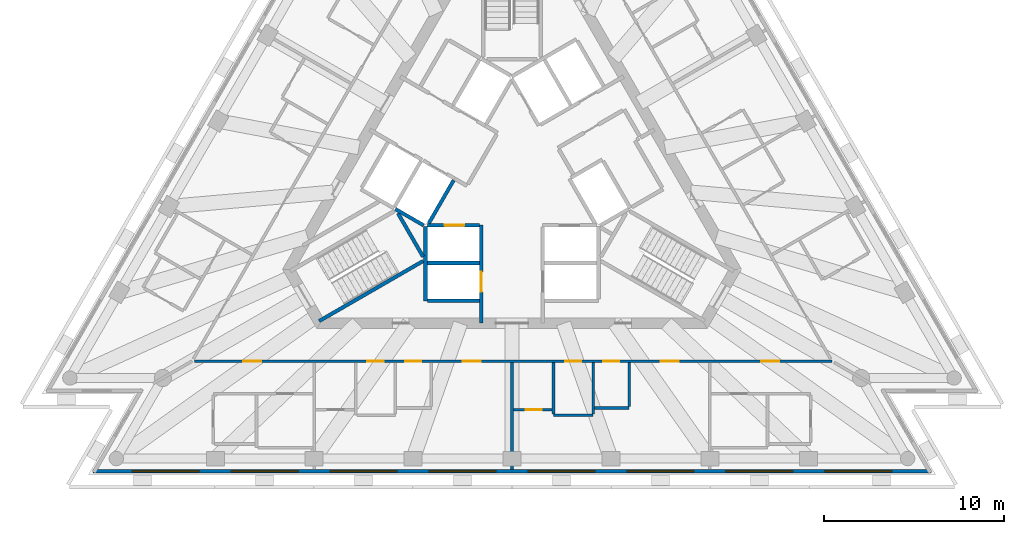
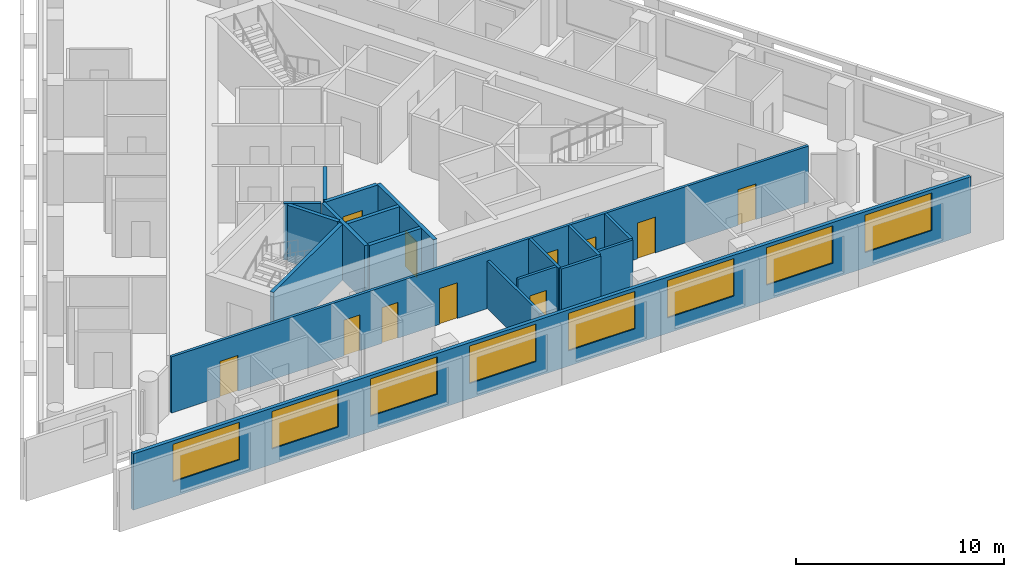
# One storey, part 3 of 9: 18 walls, 11 doors, 8 windows, 19 openings.
"""IFC4 building model written with IfcOpenShell, lengths in metres."""

from ifc_helpers import new_model, si_unit, direction, frame, frame_2d, origin, place, context, subcontext, project, spatial, rectangle, extrude, material, layer, layer_set, layer_usage, type_object, element, fill, save


model = new_model("IFC4")

# Units and contexts
model_context = context("Model", 3, precision=1e-05, world=origin(), true_north=direction((0.0, 1.0)))
body_context = subcontext(model_context, "Body", "Model", "MODEL_VIEW")
ifc_project = project(units=[si_unit("LENGTHUNIT", "METRE"), si_unit("AREAUNIT", "SQUARE_METRE"), si_unit("VOLUMEUNIT", "CUBIC_METRE"), si_unit("PLANEANGLEUNIT", "RADIAN"), si_unit("MASSUNIT", "GRAM", prefix="KILO")], contexts=[model_context])

# Site, building, storey
site_placement = place(None, origin())
site = spatial("IfcSite", under=ifc_project, at=site_placement, CompositionType="ELEMENT")
building_placement = place(site_placement, origin())
building = spatial("IfcBuilding", under=site, at=building_placement, Name="Triada Interchange Tower", CompositionType="ELEMENT")
storey_placement = place(building_placement, frame((0.0, 0.0, 279.10009765625)))
storey = spatial("IfcBuildingStorey", under=building, at=storey_placement, Name="L65", CompositionType="ELEMENT", Elevation=279.10009765625)

# Walls
ifc_material_1 = material(Name="Concrete C30/37", Category="concrete")
ifc_layer_1 = layer(ifc_material_1, 0.199951171875)
ifc_layer_set_1 = layer_set([ifc_layer_1], Name="CORE WALL 200 EI 120")
wall_type_1 = type_object("IfcWallType", Name="CORE WALL 200 EI 120", PredefinedType="SOLIDWALL", material=ifc_layer_set_1)
wall_1_placement = place(storey_placement, frame((-4.699951171875, -4.800048828125, 0.0), z_axis=(0.0, 0.0, 1.0), x_axis=(1.0, 0.0, 0.0)))
element("IfcWall", 1, at=wall_1_placement, inside=storey, type_object=wall_type_1, Name="Wall L65 72", PredefinedType="SOLIDWALL", context=body_context, shape_type="SweptSolid", body=[
    extrude(rectangle(XDim=2.89990234375, YDim=0.199951171875, at=frame_2d((1.449951171875, 0.0))), origin(), (0.0, 0.0, 1.0), 3.2998046875),
])
wall_2_placement = place(storey_placement, frame((-4.800048828125, -6.89990234375, 0.0), z_axis=(0.0, 0.0, 1.0), x_axis=(0.0, 1.0, 0.0)))
element("IfcWall", 2, at=wall_2_placement, inside=storey, type_object=wall_type_1, Name="Wall L65 74", PredefinedType="SOLIDWALL", context=body_context, shape_type="SweptSolid", body=[
    extrude(rectangle(XDim=4.130859375, YDim=0.199951171875, at=frame_2d((2.0654296875, 0.0))), origin(), (0.0, 0.0, 1.0), 3.2998046875),
])
wall_3_placement = place(storey_placement, frame((-4.699951171875, -6.89990234375, 0.0), z_axis=(0.0, 0.0, 1.0), x_axis=(1.0, 0.0, 0.0)))
element("IfcWall", 3, at=wall_3_placement, inside=storey, type_object=wall_type_1, Name="Wall L65 75", PredefinedType="SOLIDWALL", context=body_context, shape_type="SweptSolid", body=[
    extrude(rectangle(XDim=2.89990234375, YDim=0.199951171875, at=frame_2d((1.449951171875, 0.0))), origin(), (0.0, 0.0, 1.0), 3.2998046875),
])

# Wall, opening, door
wall_4_placement = place(storey_placement, frame((-1.699951171875, -8.1298828125, 0.0), z_axis=(0.0, 0.0, 1.0), x_axis=(0.0, 1.0, 0.0)))
wall_4 = element("IfcWall", 4, at=wall_4_placement, inside=storey, type_object=wall_type_1, Name="Wall L65 77", PredefinedType="SOLIDWALL", context=body_context, shape_type="SweptSolid", body=[
    extrude(rectangle(XDim=5.427001953125, YDim=0.199951171875, at=frame_2d((2.71337890625, 0.0))), origin(), (0.0, 0.0, 1.0), 3.2998046875),
])
opening_1_placement = place(wall_4_placement, frame((1.72998046875, 0.0, 0.0)))
opening_1 = element("IfcOpeningElement", 5, at=opening_1_placement, cuts=wall_4, Name="Opening LD-HR4", PredefinedType="OPENING", context=body_context, shape_type="SweptSolid", body=[
    extrude(rectangle(XDim=1.10009765625, YDim=2.10009765625, at=frame_2d((0.550048828125, 1.050048828125))), frame((0.0, 0.10986328125, 0.0), z_axis=(0.0, -1.0, 0.0), x_axis=(1.0, 0.0, 0.0)), (0.0, 0.0, 1.0), 0.219970703125),
])
ifc_material_2 = material(Name="Steel S235 door leaf", Category="steel")
door_type_1 = type_object("IfcDoorType", Name="LIFT LANDING DOOR 1100 EI 120", OperationType="SLIDING_TO_LEFT", PredefinedType="DOOR", material=ifc_material_2)
door_1_placement = place(opening_1_placement, origin())
door_1 = element("IfcDoor", 6, at=door_1_placement, inside=storey, type_object=door_type_1, Name="HR4 landing door L65", OperationType="SLIDING_TO_LEFT", OverallHeight=2.10009765625, OverallWidth=1.10009765625, PredefinedType="DOOR", context=body_context, shape_type="SweptSolid", body=[
    extrude(rectangle(XDim=1.10009765625, YDim=2.10009765625, at=frame_2d((0.550048828125, 1.050048828125))), frame((0.0, 0.02490234375, 0.0), z_axis=(0.0, -1.0, 0.0), x_axis=(1.0, 0.0, 0.0)), (0.0, 0.0, 1.0), 0.050048828125),
])
fill(opening_1, door_1)

wall_5_placement = place(storey_placement, frame((-4.676025390625, -2.699951171875, 0.0), z_axis=(0.0, 0.0, 1.0), x_axis=(1.0, 0.0, 0.0)))
wall_5 = element("IfcWall", 7, at=wall_5_placement, inside=storey, type_object=wall_type_1, Name="Wall L65 78", PredefinedType="SOLIDWALL", context=body_context, shape_type="SweptSolid", body=[
    extrude(rectangle(XDim=2.873046875, YDim=0.199951171875, at=frame_2d((1.4365234375, 0.0))), origin(), (0.0, 0.0, 1.0), 3.2998046875),
])
opening_2_placement = place(wall_5_placement, frame((0.93701171875, 0.0, 0.0)))
opening_2 = element("IfcOpeningElement", 8, at=opening_2_placement, cuts=wall_5, Name="Opening LD-HR3", PredefinedType="OPENING", context=body_context, shape_type="SweptSolid", body=[
    extrude(rectangle(XDim=1.10009765625, YDim=2.10009765625, at=frame_2d((0.550048828125, 1.050048828125))), frame((0.0, 0.10986328125, 0.0), z_axis=(0.0, -1.0, 0.0), x_axis=(1.0, 0.0, 0.0)), (0.0, 0.0, 1.0), 0.219970703125),
])
door_2_placement = place(opening_2_placement, origin())
door_2 = element("IfcDoor", 9, at=door_2_placement, inside=storey, type_object=door_type_1, Name="HR3 landing door L65", OperationType="SLIDING_TO_LEFT", OverallHeight=2.10009765625, OverallWidth=1.10009765625, PredefinedType="DOOR", context=body_context, shape_type="SweptSolid", body=[
    extrude(rectangle(XDim=1.10009765625, YDim=2.10009765625, at=frame_2d((0.550048828125, 1.050048828125))), frame((0.0, 0.02490234375, 0.0), z_axis=(0.0, -1.0, 0.0), x_axis=(1.0, 0.0, 0.0)), (0.0, 0.0, 1.0), 0.050048828125),
])
fill(opening_2, door_2)

# Walls
ifc_layer_2 = layer(ifc_material_1, 0.199951171875)
ifc_layer_set_2 = layer_set([ifc_layer_2], Name="CORE WALL 200 EI 180")
wall_type_2 = type_object("IfcWallType", Name="CORE WALL 200 EI 180", PredefinedType="SOLIDWALL", material=ifc_layer_set_2)
wall_6_placement = place(storey_placement, frame((-6.469970703125, -1.806884765625, 0.0), z_axis=(0.0, 0.0, 1.0), x_axis=(0.865883195159, -0.500246231712, 0.0)))
element("IfcWall", 10, at=wall_6_placement, inside=storey, type_object=wall_type_2, Name="Shaft wall FF1 L65 103", PredefinedType="SOLIDWALL", context=body_context, shape_type="SweptSolid", body=[
    extrude(rectangle(XDim=1.8154296875, YDim=0.199951171875, at=frame_2d((0.90771484375, 0.0))), origin(), (0.0, 0.0, 1.0), 3.2998046875),
])
wall_7_placement = place(storey_placement, frame((-4.618896484375, -2.60009765625, 0.0), z_axis=(0.0, 0.0, 1.0), x_axis=(0.50009492287, 0.865970593103, 0.0)))
element("IfcWall", 11, at=wall_7_placement, inside=storey, type_object=wall_type_2, Name="Shaft wall FF1 L65 105", PredefinedType="SOLIDWALL", context=body_context, shape_type="SweptSolid", body=[
    extrude(rectangle(XDim=2.76123046875, YDim=0.199951171875, at=frame_2d((1.380615234375, 0.0))), origin(), (0.0, 0.0, 1.0), 3.2998046875),
])
ifc_layer_3 = layer(ifc_material_1, 0.199951171875)
ifc_layer_set_3 = layer_set([ifc_layer_3], Name="CORE WALL 200 REI 240")
wall_type_3 = type_object("IfcWallType", Name="CORE WALL 200 REI 240", PredefinedType="SOLIDWALL", material=ifc_layer_set_3)
wall_8_placement = place(storey_placement, frame((-6.3291015625, -2.0380859375, 0.0), z_axis=(0.0, 0.0, 1.0), x_axis=(0.500200581029, -0.865909567298, 0.0)))
element("IfcWall", 12, at=wall_8_placement, inside=storey, type_object=wall_type_3, Name="Wall L65 116", PredefinedType="SOLIDWALL", context=body_context, shape_type="SweptSolid", body=[
    extrude(rectangle(XDim=2.799072265625, YDim=0.199951171875, at=frame_2d((1.3994140625, 0.0))), origin(), (0.0, 0.0, 1.0), 3.2998046875),
])
wall_9_placement = place(storey_placement, frame((-10.700927734375, -8.02587890625, 0.0), z_axis=(0.0, 0.0, 1.0), x_axis=(0.866005022404, 0.500035299925, 0.0)))
element("IfcWall", 13, at=wall_9_placement, inside=storey, type_object=wall_type_3, Name="Wall L65 117", PredefinedType="SOLIDWALL", context=body_context, shape_type="SweptSolid", body=[
    extrude(rectangle(XDim=6.6650390625, YDim=0.199951171875, at=frame_2d((3.33251953125, 0.0))), origin(), (0.0, 0.0, 1.0), 3.2998046875),
])

# Wall, openings, windows
ifc_material_3 = material(Name="Cement board")
ifc_layer_4 = layer(ifc_material_3, 0.02001953125, Name="Cement board cladding")
ifc_material_4 = material(Name="Sheathing board")
ifc_layer_5 = layer(ifc_material_4, 0.014892578125, Name="Sheathing board")
ifc_material_5 = material(Name="Mineral wool")
ifc_layer_6 = layer(ifc_material_5, 0.14990234375, Name="Mineral wool between steel studs")
ifc_material_6 = material(Name="Gypsum board")
ifc_layer_7 = layer(ifc_material_6, 0.014892578125, Name="Plasterboard lining")
ifc_layer_set_4 = layer_set([ifc_layer_4, ifc_layer_5, ifc_layer_6, ifc_layer_7], Name="External wall 200")
ifc_layer_usage = layer_usage(ifc_layer_set_4, "AXIS2", "POSITIVE", -0.10009765625)
wall_type_4 = type_object("IfcWallType", Name="External wall 200", PredefinedType="ELEMENTEDWALL", material=ifc_layer_set_4)
wall_10_placement = place(storey_placement, frame((-23.2548828125, -16.35400390625, 0.0), z_axis=(0.0, 0.0, 1.0), x_axis=(1.0, 0.0, 0.0)))
wall_10 = element("IfcWall", 14, at=wall_10_placement, inside=storey, type_object=wall_type_4, material=ifc_layer_usage, Name="External wall L65 S", PredefinedType="ELEMENTEDWALL", context=body_context, shape_type="SweptSolid", body=[
    extrude(rectangle(XDim=46.489990234375, YDim=0.199951171875, at=frame_2d((23.2451171875, 0.0))), origin(), (0.0, 0.0, 1.0), 3.2998046875),
])
opening_3_placement = place(wall_10_placement, frame((2.197021484375, 0.0, 0.89990234375)))
opening_3 = element("IfcOpeningElement", 15, at=opening_3_placement, cuts=wall_10, Name="Opening WD11", PredefinedType="OPENING", context=body_context, shape_type="SweptSolid", body=[
    extrude(rectangle(XDim=3.699951171875, YDim=2.199951171875, at=frame_2d((1.85009765625, 1.10009765625))), frame((0.0, 0.10986328125, 0.0), z_axis=(0.0, -1.0, 0.0), x_axis=(1.0, 0.0, 0.0)), (0.0, 0.0, 1.0), 0.219970703125),
])
opening_4_placement = place(wall_10_placement, frame((7.68505859375, 0.0, 0.89990234375)))
opening_4 = element("IfcOpeningElement", 16, at=opening_4_placement, cuts=wall_10, Name="Opening WD12", PredefinedType="OPENING", context=body_context, shape_type="SweptSolid", body=[
    extrude(rectangle(XDim=3.699951171875, YDim=2.199951171875, at=frame_2d((1.85009765625, 1.10009765625))), frame((0.0, 0.10986328125, 0.0), z_axis=(0.0, -1.0, 0.0), x_axis=(1.0, 0.0, 0.0)), (0.0, 0.0, 1.0), 0.219970703125),
])
opening_5_placement = place(wall_10_placement, frame((13.173095703125, 0.0, 0.89990234375)))
opening_5 = element("IfcOpeningElement", 17, at=opening_5_placement, cuts=wall_10, Name="Opening WD13", PredefinedType="OPENING", context=body_context, shape_type="SweptSolid", body=[
    extrude(rectangle(XDim=3.699951171875, YDim=2.199951171875, at=frame_2d((1.85009765625, 1.10009765625))), frame((0.0, 0.10986328125, 0.0), z_axis=(0.0, -1.0, 0.0), x_axis=(1.0, 0.0, 0.0)), (0.0, 0.0, 1.0), 0.219970703125),
])
opening_6_placement = place(wall_10_placement, frame((18.660888671875, 0.0, 0.89990234375)))
opening_6 = element("IfcOpeningElement", 18, at=opening_6_placement, cuts=wall_10, Name="Opening WD14", PredefinedType="OPENING", context=body_context, shape_type="SweptSolid", body=[
    extrude(rectangle(XDim=3.699951171875, YDim=2.199951171875, at=frame_2d((1.85009765625, 1.10009765625))), frame((0.0, 0.10986328125, 0.0), z_axis=(0.0, -1.0, 0.0), x_axis=(1.0, 0.0, 0.0)), (0.0, 0.0, 1.0), 0.219970703125),
])
opening_7_placement = place(wall_10_placement, frame((24.14892578125, 0.0, 0.89990234375)))
opening_7 = element("IfcOpeningElement", 19, at=opening_7_placement, cuts=wall_10, Name="Opening WD15", PredefinedType="OPENING", context=body_context, shape_type="SweptSolid", body=[
    extrude(rectangle(XDim=3.699951171875, YDim=2.199951171875, at=frame_2d((1.85009765625, 1.10009765625))), frame((0.0, 0.10986328125, 0.0), z_axis=(0.0, -1.0, 0.0), x_axis=(1.0, 0.0, 0.0)), (0.0, 0.0, 1.0), 0.219970703125),
])
opening_8_placement = place(wall_10_placement, frame((29.636962890625, 0.0, 0.89990234375)))
opening_8 = element("IfcOpeningElement", 20, at=opening_8_placement, cuts=wall_10, Name="Opening WD16", PredefinedType="OPENING", context=body_context, shape_type="SweptSolid", body=[
    extrude(rectangle(XDim=3.699951171875, YDim=2.199951171875, at=frame_2d((1.85009765625, 1.10009765625))), frame((0.0, 0.10986328125, 0.0), z_axis=(0.0, -1.0, 0.0), x_axis=(1.0, 0.0, 0.0)), (0.0, 0.0, 1.0), 0.219970703125),
])
opening_9_placement = place(wall_10_placement, frame((35.125, 0.0, 0.89990234375)))
opening_9 = element("IfcOpeningElement", 21, at=opening_9_placement, cuts=wall_10, Name="Opening WD17", PredefinedType="OPENING", context=body_context, shape_type="SweptSolid", body=[
    extrude(rectangle(XDim=3.699951171875, YDim=2.199951171875, at=frame_2d((1.85009765625, 1.10009765625))), frame((0.0, 0.10986328125, 0.0), z_axis=(0.0, -1.0, 0.0), x_axis=(1.0, 0.0, 0.0)), (0.0, 0.0, 1.0), 0.219970703125),
])
opening_10_placement = place(wall_10_placement, frame((40.613037109375, 0.0, 0.89990234375)))
opening_10 = element("IfcOpeningElement", 22, at=opening_10_placement, cuts=wall_10, Name="Opening WD18", PredefinedType="OPENING", context=body_context, shape_type="SweptSolid", body=[
    extrude(rectangle(XDim=3.699951171875, YDim=2.199951171875, at=frame_2d((1.85009765625, 1.10009765625))), frame((0.0, 0.10986328125, 0.0), z_axis=(0.0, -1.0, 0.0), x_axis=(1.0, 0.0, 0.0)), (0.0, 0.0, 1.0), 0.219970703125),
])
ifc_material_7 = material(Name="Double glazed aluminium window", Category="aluminium")
window_type = type_object("IfcWindowType", Name="Ribbon window D face", PartitioningType="SINGLE_PANEL", PredefinedType="WINDOW", material=ifc_material_7)
window_1_placement = place(opening_3_placement, origin())
window_1 = element("IfcWindow", 23, at=window_1_placement, inside=storey, type_object=window_type, Name="Window L65 S 1", OverallHeight=2.199951171875, OverallWidth=3.699951171875, PartitioningType="SINGLE_PANEL", PredefinedType="WINDOW", context=body_context, shape_type="SweptSolid", body=[
    extrude(rectangle(XDim=3.699951171875, YDim=2.199951171875, at=frame_2d((1.85009765625, 1.10009765625))), frame((0.0, 0.030029296875, 0.0), z_axis=(0.0, -1.0, 0.0), x_axis=(1.0, 0.0, 0.0)), (0.0, 0.0, 1.0), 0.06005859375),
])
fill(opening_3, window_1)
window_2_placement = place(opening_4_placement, origin())
window_2 = element("IfcWindow", 24, at=window_2_placement, inside=storey, type_object=window_type, Name="Window L65 S 2", OverallHeight=2.199951171875, OverallWidth=3.699951171875, PartitioningType="SINGLE_PANEL", PredefinedType="WINDOW", context=body_context, shape_type="SweptSolid", body=[
    extrude(rectangle(XDim=3.699951171875, YDim=2.199951171875, at=frame_2d((1.85009765625, 1.10009765625))), frame((0.0, 0.030029296875, 0.0), z_axis=(0.0, -1.0, 0.0), x_axis=(1.0, 0.0, 0.0)), (0.0, 0.0, 1.0), 0.06005859375),
])
fill(opening_4, window_2)
window_3_placement = place(opening_5_placement, origin())
window_3 = element("IfcWindow", 25, at=window_3_placement, inside=storey, type_object=window_type, Name="Window L65 S 3", OverallHeight=2.199951171875, OverallWidth=3.699951171875, PartitioningType="SINGLE_PANEL", PredefinedType="WINDOW", context=body_context, shape_type="SweptSolid", body=[
    extrude(rectangle(XDim=3.699951171875, YDim=2.199951171875, at=frame_2d((1.85009765625, 1.10009765625))), frame((0.0, 0.030029296875, 0.0), z_axis=(0.0, -1.0, 0.0), x_axis=(1.0, 0.0, 0.0)), (0.0, 0.0, 1.0), 0.06005859375),
])
fill(opening_5, window_3)
window_4_placement = place(opening_6_placement, origin())
window_4 = element("IfcWindow", 26, at=window_4_placement, inside=storey, type_object=window_type, Name="Window L65 S 4", OverallHeight=2.199951171875, OverallWidth=3.699951171875, PartitioningType="SINGLE_PANEL", PredefinedType="WINDOW", context=body_context, shape_type="SweptSolid", body=[
    extrude(rectangle(XDim=3.699951171875, YDim=2.199951171875, at=frame_2d((1.85009765625, 1.10009765625))), frame((0.0, 0.030029296875, 0.0), z_axis=(0.0, -1.0, 0.0), x_axis=(1.0, 0.0, 0.0)), (0.0, 0.0, 1.0), 0.06005859375),
])
fill(opening_6, window_4)
window_5_placement = place(opening_7_placement, origin())
window_5 = element("IfcWindow", 27, at=window_5_placement, inside=storey, type_object=window_type, Name="Window L65 S 5", OverallHeight=2.199951171875, OverallWidth=3.699951171875, PartitioningType="SINGLE_PANEL", PredefinedType="WINDOW", context=body_context, shape_type="SweptSolid", body=[
    extrude(rectangle(XDim=3.699951171875, YDim=2.199951171875, at=frame_2d((1.85009765625, 1.10009765625))), frame((0.0, 0.030029296875, 0.0), z_axis=(0.0, -1.0, 0.0), x_axis=(1.0, 0.0, 0.0)), (0.0, 0.0, 1.0), 0.06005859375),
])
fill(opening_7, window_5)
window_6_placement = place(opening_8_placement, origin())
window_6 = element("IfcWindow", 28, at=window_6_placement, inside=storey, type_object=window_type, Name="Window L65 S 6", OverallHeight=2.199951171875, OverallWidth=3.699951171875, PartitioningType="SINGLE_PANEL", PredefinedType="WINDOW", context=body_context, shape_type="SweptSolid", body=[
    extrude(rectangle(XDim=3.699951171875, YDim=2.199951171875, at=frame_2d((1.85009765625, 1.10009765625))), frame((0.0, 0.030029296875, 0.0), z_axis=(0.0, -1.0, 0.0), x_axis=(1.0, 0.0, 0.0)), (0.0, 0.0, 1.0), 0.06005859375),
])
fill(opening_8, window_6)
window_7_placement = place(opening_9_placement, origin())
window_7 = element("IfcWindow", 29, at=window_7_placement, inside=storey, type_object=window_type, Name="Window L65 S 7", OverallHeight=2.199951171875, OverallWidth=3.699951171875, PartitioningType="SINGLE_PANEL", PredefinedType="WINDOW", context=body_context, shape_type="SweptSolid", body=[
    extrude(rectangle(XDim=3.699951171875, YDim=2.199951171875, at=frame_2d((1.85009765625, 1.10009765625))), frame((0.0, 0.030029296875, 0.0), z_axis=(0.0, -1.0, 0.0), x_axis=(1.0, 0.0, 0.0)), (0.0, 0.0, 1.0), 0.06005859375),
])
fill(opening_9, window_7)
window_8_placement = place(opening_10_placement, origin())
window_8 = element("IfcWindow", 30, at=window_8_placement, inside=storey, type_object=window_type, Name="Window L65 S 8", OverallHeight=2.199951171875, OverallWidth=3.699951171875, PartitioningType="SINGLE_PANEL", PredefinedType="WINDOW", context=body_context, shape_type="SweptSolid", body=[
    extrude(rectangle(XDim=3.699951171875, YDim=2.199951171875, at=frame_2d((1.85009765625, 1.10009765625))), frame((0.0, 0.030029296875, 0.0), z_axis=(0.0, -1.0, 0.0), x_axis=(1.0, 0.0, 0.0)), (0.0, 0.0, 1.0), 0.06005859375),
])
fill(opening_10, window_8)

# Wall, openings, doors
ifc_material_8 = material(Name="Gypsum board partition")
ifc_layer_8 = layer(ifc_material_8, 0.14990234375)
ifc_layer_set_5 = layer_set([ifc_layer_8], Name="PARTITION 150 EI 180")
wall_type_5 = type_object("IfcWallType", Name="PARTITION 150 EI 180", PredefinedType="PARTITIONING", material=ifc_layer_set_5)
wall_11_placement = place(storey_placement, frame((-17.60400390625, -10.25, 0.0), z_axis=(0.0, 0.0, 1.0), x_axis=(1.0, 0.0, 0.0)))
wall_11 = element("IfcWall", 31, at=wall_11_placement, inside=storey, type_object=wall_type_5, Name="Wall L65 5", PredefinedType="PARTITIONING", context=body_context, shape_type="SweptSolid", body=[
    extrude(rectangle(XDim=35.35791015625, YDim=0.14990234375, at=frame_2d((17.678955078125, 0.0))), origin(), (0.0, 0.0, 1.0), 3.2998046875),
])
opening_11_placement = place(wall_11_placement, frame((2.699951171875, 0.0, 0.0)))
opening_11 = element("IfcOpeningElement", 32, at=opening_11_placement, cuts=wall_11, Name="Opening D65-11", PredefinedType="OPENING", context=body_context, shape_type="SweptSolid", body=[
    extrude(rectangle(XDim=1.0, YDim=2.10009765625, at=frame_2d((0.5, 1.050048828125))), frame((0.0, 0.0849609375, 0.0), z_axis=(0.0, -1.0, 0.0), x_axis=(1.0, 0.0, 0.0)), (0.0, 0.0, 1.0), 0.169921875),
])
opening_12_placement = place(wall_11_placement, frame((14.8779296875, 0.0, 0.0)))
opening_12 = element("IfcOpeningElement", 33, at=opening_12_placement, cuts=wall_11, Name="Opening D65-14", PredefinedType="OPENING", context=body_context, shape_type="SweptSolid", body=[
    extrude(rectangle(XDim=1.0, YDim=2.10009765625, at=frame_2d((0.5, 1.050048828125))), frame((0.0, 0.0849609375, 0.0), z_axis=(0.0, -1.0, 0.0), x_axis=(1.0, 0.0, 0.0)), (0.0, 0.0, 1.0), 0.169921875),
])
opening_13_placement = place(wall_11_placement, frame((9.577880859375, 0.0, 0.0)))
opening_13 = element("IfcOpeningElement", 34, at=opening_13_placement, cuts=wall_11, Name="Opening D65-16", PredefinedType="OPENING", context=body_context, shape_type="SweptSolid", body=[
    extrude(rectangle(XDim=0.89990234375, YDim=2.10009765625, at=frame_2d((0.449951171875, 1.050048828125))), frame((0.0, 0.0849609375, 0.0), z_axis=(0.0, -1.0, 0.0), x_axis=(1.0, 0.0, 0.0)), (0.0, 0.0, 1.0), 0.169921875),
])
opening_14_placement = place(wall_11_placement, frame((11.677978515625, 0.0, 0.0)))
opening_14 = element("IfcOpeningElement", 35, at=opening_14_placement, cuts=wall_11, Name="Opening D65-17", PredefinedType="OPENING", context=body_context, shape_type="SweptSolid", body=[
    extrude(rectangle(XDim=0.89990234375, YDim=2.10009765625, at=frame_2d((0.449951171875, 1.050048828125))), frame((0.0, 0.0849609375, 0.0), z_axis=(0.0, -1.0, 0.0), x_axis=(1.0, 0.0, 0.0)), (0.0, 0.0, 1.0), 0.169921875),
])
opening_15_placement = place(wall_11_placement, frame((25.85400390625, 0.0, 0.0)))
opening_15 = element("IfcOpeningElement", 36, at=opening_15_placement, cuts=wall_11, Name="Opening D65-18", PredefinedType="OPENING", context=body_context, shape_type="SweptSolid", body=[
    extrude(rectangle(XDim=1.0, YDim=2.10009765625, at=frame_2d((0.5, 1.050048828125))), frame((0.0, 0.0849609375, 0.0), z_axis=(0.0, -1.0, 0.0), x_axis=(1.0, 0.0, 0.0)), (0.0, 0.0, 1.0), 0.169921875),
])
opening_16_placement = place(wall_11_placement, frame((20.553955078125, 0.0, 0.0)))
opening_16 = element("IfcOpeningElement", 37, at=opening_16_placement, cuts=wall_11, Name="Opening D65-20", PredefinedType="OPENING", context=body_context, shape_type="SweptSolid", body=[
    extrude(rectangle(XDim=0.89990234375, YDim=2.10009765625, at=frame_2d((0.449951171875, 1.050048828125))), frame((0.0, 0.0849609375, 0.0), z_axis=(0.0, -1.0, 0.0), x_axis=(1.0, 0.0, 0.0)), (0.0, 0.0, 1.0), 0.169921875),
])
opening_17_placement = place(wall_11_placement, frame((22.654052734375, 0.0, 0.0)))
opening_17 = element("IfcOpeningElement", 38, at=opening_17_placement, cuts=wall_11, Name="Opening D65-21", PredefinedType="OPENING", context=body_context, shape_type="SweptSolid", body=[
    extrude(rectangle(XDim=0.89990234375, YDim=2.10009765625, at=frame_2d((0.449951171875, 1.050048828125))), frame((0.0, 0.0849609375, 0.0), z_axis=(0.0, -1.0, 0.0), x_axis=(1.0, 0.0, 0.0)), (0.0, 0.0, 1.0), 0.169921875),
])
opening_18_placement = place(wall_11_placement, frame((31.429931640625, 0.0, 0.0)))
opening_18 = element("IfcOpeningElement", 39, at=opening_18_placement, cuts=wall_11, Name="Opening D65-22", PredefinedType="OPENING", context=body_context, shape_type="SweptSolid", body=[
    extrude(rectangle(XDim=1.0, YDim=2.10009765625, at=frame_2d((0.5, 1.050048828125))), frame((0.0, 0.0849609375, 0.0), z_axis=(0.0, -1.0, 0.0), x_axis=(1.0, 0.0, 0.0)), (0.0, 0.0, 1.0), 0.169921875),
])
door_type_2 = type_object("IfcDoorType", Name="GUEST ROOM DOOR 1000 EI2 90-C5S200", OperationType="NOTDEFINED", PredefinedType="DOOR", material=ifc_material_2)
door_3_placement = place(opening_11_placement, origin())
door_3 = element("IfcDoor", 40, at=door_3_placement, inside=storey, type_object=door_type_2, Name="Door D65-11 L65", OperationType="SINGLE_SWING_RIGHT", OverallHeight=2.10009765625, OverallWidth=1.0, PredefinedType="DOOR", context=body_context, shape_type="SweptSolid", body=[
    extrude(rectangle(XDim=1.0, YDim=2.10009765625, at=frame_2d((0.5, 1.050048828125))), frame((0.0, 0.02490234375, 0.0), z_axis=(0.0, -1.0, 0.0), x_axis=(1.0, 0.0, 0.0)), (0.0, 0.0, 1.0), 0.050048828125),
])
fill(opening_11, door_3)
door_4_placement = place(opening_12_placement, origin())
door_4 = element("IfcDoor", 41, at=door_4_placement, inside=storey, type_object=door_type_2, Name="Door D65-14 L65", OperationType="SINGLE_SWING_RIGHT", OverallHeight=2.10009765625, OverallWidth=1.0, PredefinedType="DOOR", context=body_context, shape_type="SweptSolid", body=[
    extrude(rectangle(XDim=1.0, YDim=2.10009765625, at=frame_2d((0.5, 1.050048828125))), frame((0.0, 0.02490234375, 0.0), z_axis=(0.0, -1.0, 0.0), x_axis=(1.0, 0.0, 0.0)), (0.0, 0.0, 1.0), 0.050048828125),
])
fill(opening_12, door_4)
door_5_placement = place(opening_15_placement, origin())
door_5 = element("IfcDoor", 42, at=door_5_placement, inside=storey, type_object=door_type_2, Name="Door D65-18 L65", OperationType="SINGLE_SWING_RIGHT", OverallHeight=2.10009765625, OverallWidth=1.0, PredefinedType="DOOR", context=body_context, shape_type="SweptSolid", body=[
    extrude(rectangle(XDim=1.0, YDim=2.10009765625, at=frame_2d((0.5, 1.050048828125))), frame((0.0, 0.02490234375, 0.0), z_axis=(0.0, -1.0, 0.0), x_axis=(1.0, 0.0, 0.0)), (0.0, 0.0, 1.0), 0.050048828125),
])
fill(opening_15, door_5)
door_6_placement = place(opening_18_placement, origin())
door_6 = element("IfcDoor", 43, at=door_6_placement, inside=storey, type_object=door_type_2, Name="Door D65-22 L65", OperationType="SINGLE_SWING_LEFT", OverallHeight=2.10009765625, OverallWidth=1.0, PredefinedType="DOOR", context=body_context, shape_type="SweptSolid", body=[
    extrude(rectangle(XDim=1.0, YDim=2.10009765625, at=frame_2d((0.5, 1.050048828125))), frame((0.0, 0.02490234375, 0.0), z_axis=(0.0, -1.0, 0.0), x_axis=(1.0, 0.0, 0.0)), (0.0, 0.0, 1.0), 0.050048828125),
])
fill(opening_18, door_6)
door_type_3 = type_object("IfcDoorType", Name="ROOM DOOR 900 EI2 90-C5S200", OperationType="NOTDEFINED", PredefinedType="DOOR", material=ifc_material_2)
door_7_placement = place(opening_14_placement, origin())
door_7 = element("IfcDoor", 44, at=door_7_placement, inside=storey, type_object=door_type_3, Name="Door D65-17 L65", OperationType="SINGLE_SWING_LEFT", OverallHeight=2.10009765625, OverallWidth=0.89990234375, PredefinedType="DOOR", context=body_context, shape_type="SweptSolid", body=[
    extrude(rectangle(XDim=0.89990234375, YDim=2.10009765625, at=frame_2d((0.449951171875, 1.050048828125))), frame((0.0, 0.02490234375, 0.0), z_axis=(0.0, -1.0, 0.0), x_axis=(1.0, 0.0, 0.0)), (0.0, 0.0, 1.0), 0.050048828125),
])
fill(opening_14, door_7)
door_8_placement = place(opening_17_placement, origin())
door_8 = element("IfcDoor", 45, at=door_8_placement, inside=storey, type_object=door_type_3, Name="Door D65-21 L65", OperationType="SINGLE_SWING_RIGHT", OverallHeight=2.10009765625, OverallWidth=0.89990234375, PredefinedType="DOOR", context=body_context, shape_type="SweptSolid", body=[
    extrude(rectangle(XDim=0.89990234375, YDim=2.10009765625, at=frame_2d((0.449951171875, 1.050048828125))), frame((0.0, 0.02490234375, 0.0), z_axis=(0.0, -1.0, 0.0), x_axis=(1.0, 0.0, 0.0)), (0.0, 0.0, 1.0), 0.050048828125),
])
fill(opening_17, door_8)
door_type_4 = type_object("IfcDoorType", Name="SERVICE DOOR 900 EI2 90-C5S200", OperationType="NOTDEFINED", PredefinedType="DOOR", material=ifc_material_2)
door_9_placement = place(opening_13_placement, origin())
door_9 = element("IfcDoor", 46, at=door_9_placement, inside=storey, type_object=door_type_4, Name="Door D65-16 L65", OperationType="SINGLE_SWING_RIGHT", OverallHeight=2.10009765625, OverallWidth=0.89990234375, PredefinedType="DOOR", context=body_context, shape_type="SweptSolid", body=[
    extrude(rectangle(XDim=0.89990234375, YDim=2.10009765625, at=frame_2d((0.449951171875, 1.050048828125))), frame((0.0, 0.02490234375, 0.0), z_axis=(0.0, -1.0, 0.0), x_axis=(1.0, 0.0, 0.0)), (0.0, 0.0, 1.0), 0.050048828125),
])
fill(opening_13, door_9)
door_10_placement = place(opening_16_placement, origin())
door_10 = element("IfcDoor", 47, at=door_10_placement, inside=storey, type_object=door_type_4, Name="Door D65-20 L65", OperationType="SINGLE_SWING_RIGHT", OverallHeight=2.10009765625, OverallWidth=0.89990234375, PredefinedType="DOOR", context=body_context, shape_type="SweptSolid", body=[
    extrude(rectangle(XDim=0.89990234375, YDim=2.10009765625, at=frame_2d((0.449951171875, 1.050048828125))), frame((0.0, 0.02490234375, 0.0), z_axis=(0.0, -1.0, 0.0), x_axis=(1.0, 0.0, 0.0)), (0.0, 0.0, 1.0), 0.050048828125),
])
fill(opening_16, door_10)

# Walls
wall_12_placement = place(storey_placement, frame((2.300048828125, -13.25, 0.0), z_axis=(0.0, 0.0, 1.0), x_axis=(1.0, 0.0, 0.0)))
element("IfcWall", 48, at=wall_12_placement, inside=storey, type_object=wall_type_5, Name="Wall L65 12", PredefinedType="PARTITIONING", context=body_context, shape_type="SweptSolid", body=[
    extrude(rectangle(XDim=2.199951171875, YDim=0.14990234375, at=frame_2d((1.10009765625, 0.0))), origin(), (0.0, 0.0, 1.0), 3.2998046875),
])
wall_13_placement = place(storey_placement, frame((4.574951171875, -12.85009765625, 0.0), z_axis=(0.0, 0.0, 1.0), x_axis=(1.0, 0.0, 0.0)))
element("IfcWall", 49, at=wall_13_placement, inside=storey, type_object=wall_type_5, Name="Wall L65 15", PredefinedType="PARTITIONING", context=body_context, shape_type="SweptSolid", body=[
    extrude(rectangle(XDim=1.925048828125, YDim=0.14990234375, at=frame_2d((0.96240234375, 0.0))), origin(), (0.0, 0.0, 1.0), 3.2998046875),
])
wall_14_placement = place(storey_placement, frame((0.0, -16.27392578125, 0.0), z_axis=(0.0, 0.0, 1.0), x_axis=(0.0, 1.0, 0.0)))
element("IfcWall", 50, at=wall_14_placement, inside=storey, type_object=wall_type_5, Name="Wall L65 17", PredefinedType="PARTITIONING", context=body_context, shape_type="SweptSolid", body=[
    extrude(rectangle(XDim=5.948974609375, YDim=0.14990234375, at=frame_2d((2.974609375, 0.0))), origin(), (0.0, 0.0, 1.0), 2.7998046875),
])
for number, where, z_axis, x_axis, name in (
    (51, (2.300048828125, -13.175048828125, 0.0), (0.0, 0.0, 1.0), (0.0, 1.0, 0.0), "Wall L65 20"),
    (52, (4.5, -13.175048828125, 0.0), (0.0, 0.0, 1.0), (0.0, 1.0, 0.0), "Wall L65 21"),
):
    element("IfcWall", number, at=place(storey_placement, frame(where, z_axis=z_axis, x_axis=x_axis)), inside=storey, type_object=wall_type_5, Name=name, PredefinedType="PARTITIONING", context=body_context, shape_type="SweptSolid", body=[
        extrude(rectangle(XDim=2.85009765625, YDim=0.14990234375, at=frame_2d((1.425048828125, 0.0))), origin(), (0.0, 0.0, 1.0), 3.2998046875),
    ])
wall_15_placement = place(storey_placement, frame((6.5, -12.77490234375, 0.0), z_axis=(0.0, 0.0, 1.0), x_axis=(0.0, 1.0, 0.0)))
element("IfcWall", 53, at=wall_15_placement, inside=storey, type_object=wall_type_5, Name="Wall L65 23", PredefinedType="PARTITIONING", context=body_context, shape_type="SweptSolid", body=[
    extrude(rectangle(XDim=2.449951171875, YDim=0.14990234375, at=frame_2d((1.22509765625, 0.0))), origin(), (0.0, 0.0, 1.0), 3.2998046875),
])

# Wall, opening, door
ifc_layer_9 = layer(ifc_material_8, 0.14990234375)
ifc_layer_set_6 = layer_set([ifc_layer_9], Name="PARTITION 150 EI 90")
wall_type_6 = type_object("IfcWallType", Name="PARTITION 150 EI 90", PredefinedType="PARTITIONING", material=ifc_layer_set_6)
wall_16_placement = place(storey_placement, frame((0.074951171875, -12.949951171875, 0.0), z_axis=(0.0, 0.0, 1.0), x_axis=(1.0, 0.0, 0.0)))
wall_16 = element("IfcWall", 54, at=wall_16_placement, inside=storey, type_object=wall_type_6, Name="Wall L65 52", PredefinedType="PARTITIONING", context=body_context, shape_type="SweptSolid", body=[
    extrude(rectangle(XDim=2.150146484375, YDim=0.14990234375, at=frame_2d((1.0751953125, 0.0))), origin(), (0.0, 0.0, 1.0), 3.2998046875),
])
opening_19_placement = place(wall_16_placement, frame((0.675048828125, 0.0, 0.0)))
opening_19 = element("IfcOpeningElement", 55, at=opening_19_placement, cuts=wall_16, Name="Opening D65-19", PredefinedType="OPENING", context=body_context, shape_type="SweptSolid", body=[
    extrude(rectangle(XDim=0.89990234375, YDim=2.10009765625, at=frame_2d((0.449951171875, 1.050048828125))), frame((0.0, 0.0849609375, 0.0), z_axis=(0.0, -1.0, 0.0), x_axis=(1.0, 0.0, 0.0)), (0.0, 0.0, 1.0), 0.169921875),
])
door_type_5 = type_object("IfcDoorType", Name="ROOM DOOR 900 EI2 45-C5S200", OperationType="NOTDEFINED", PredefinedType="DOOR", material=ifc_material_2)
door_11_placement = place(opening_19_placement, origin())
door_11 = element("IfcDoor", 56, at=door_11_placement, inside=storey, type_object=door_type_5, Name="Door D65-19 L65", OperationType="SINGLE_SWING_LEFT", OverallHeight=2.10009765625, OverallWidth=0.89990234375, PredefinedType="DOOR", context=body_context, shape_type="SweptSolid", body=[
    extrude(rectangle(XDim=0.89990234375, YDim=2.10009765625, at=frame_2d((0.449951171875, 1.050048828125))), frame((0.0, 0.02490234375, 0.0), z_axis=(0.0, -1.0, 0.0), x_axis=(1.0, 0.0, 0.0)), (0.0, 0.0, 1.0), 0.050048828125),
])
fill(opening_19, door_11)

save(model, "model.ifc")
